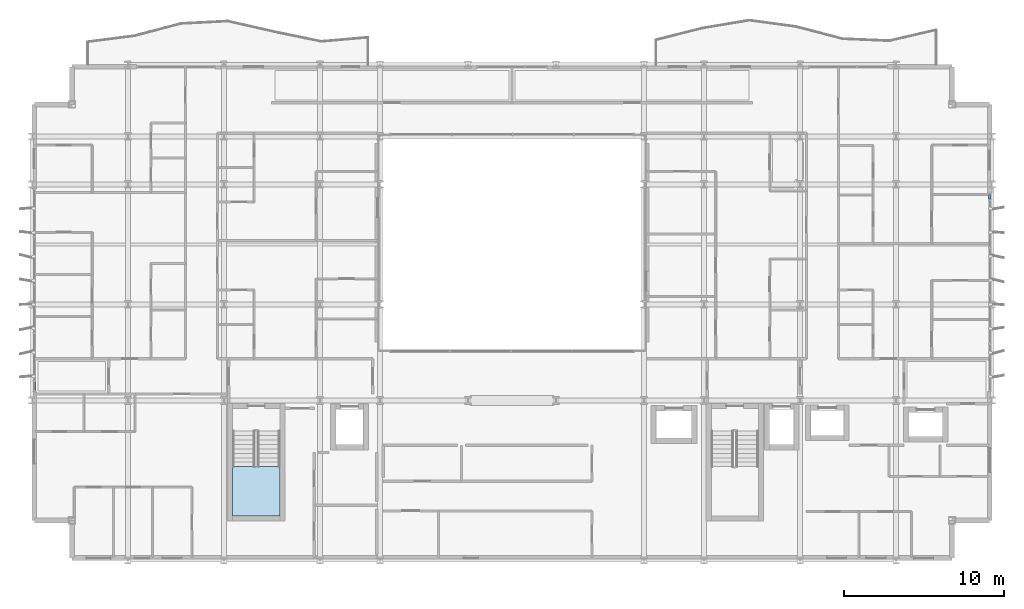
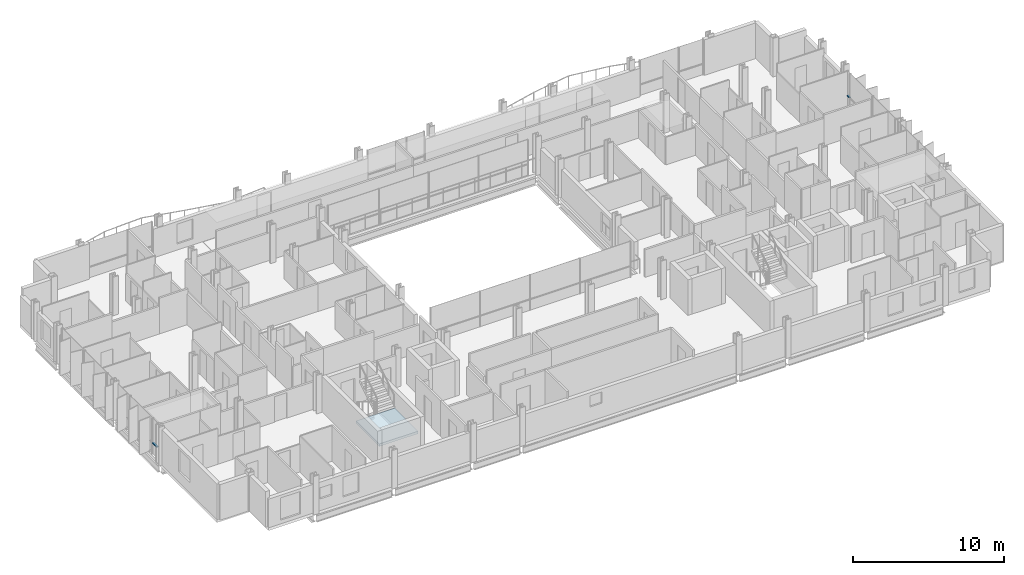
# One storey, part 21 of 39: 2 members, 1 slab, 3 elements without a shape of their own.
"""IFC4 building model written with IfcOpenShell, lengths in metres."""

from ifc_helpers import new_model, si_unit, direction, frame, origin, origin_2d, place, context, subcontext, project, spatial, polyline, hollow_rectangle, outline, extrude, material, layer, layer_set, material_profile, profile_set, type_object, element, aggregate, save


model = new_model("IFC4")

# Units and contexts
model_context = context("Model", 3, precision=1e-05, world=origin(), true_north=direction((0.0, 1.0)))
body_context = subcontext(model_context, "Body", "Model", "MODEL_VIEW")
ifc_project = project(units=[si_unit("LENGTHUNIT", "METRE"), si_unit("AREAUNIT", "SQUARE_METRE"), si_unit("VOLUMEUNIT", "CUBIC_METRE"), si_unit("PLANEANGLEUNIT", "RADIAN"), si_unit("MASSUNIT", "GRAM", prefix="KILO")], contexts=[model_context])

# Site, building, storey
site_placement = place(None, origin())
site = spatial("IfcSite", under=ifc_project, at=site_placement, CompositionType="ELEMENT")
building_placement = place(site_placement, origin())
building = spatial("IfcBuilding", under=site, at=building_placement, Name="Brevholm Reach", CompositionType="ELEMENT")
storey_placement = place(building_placement, frame((0.0, 0.0, 40.39990234375)))
storey = spatial("IfcBuildingStorey", under=building, at=storey_placement, Name="L10", CompositionType="ELEMENT", Elevation=40.39990234375)

# Curtain wall, member
ifc_material_1 = material(Name="Dark Anodised Aluminium 6063-T6 and Solar-Control Glass", Category="aluminium")
ifc_layer_1 = layer(ifc_material_1, 0.14990234375)
ifc_layer_set_1 = layer_set([ifc_layer_1], Name="Dark Anodised Aluminium 6063-T6 and Solar-Control Glass")
curtain_wall_type = type_object("IfcCurtainWallType", Name="CW-01", PredefinedType="NOTDEFINED", material=ifc_layer_set_1)
curtain_wall_1_placement = place(storey_placement, origin())
curtain_wall_1 = element("IfcCurtainWall", 1, at=curtain_wall_1_placement, inside=storey, type_object=curtain_wall_type, Name="L10 Curtain Wall CW-01", PredefinedType="NOTDEFINED")
ifc_material_2 = material(Name="Dark Anodised Aluminium 6063-T6", Category="aluminium")
ifc_material_profile = material_profile(ifc_material_2, hollow_rectangle(XDim=0.06494140625, YDim=0.14990234375, WallThickness=0.0048828125, InnerFilletRadius=0.0048828125, OuterFilletRadius=0.010009765625, at=origin_2d()), Name="RHS 150x65x5")
ifc_profile_set = profile_set([ifc_material_profile], Name="Dark Anodised Aluminium 6063-T6")
member_type = type_object("IfcMemberType", Name="CWT-150", PredefinedType="NOTDEFINED", material=ifc_profile_set)
member_1_placement = place(storey_placement, frame((0.14990234375, 11.1875, 0.900146484375), z_axis=(0.0, -1.0, 0.0), x_axis=(0.0, 0.0, 1.0)))
member_1 = element("IfcMember", 2, at=member_1_placement, type_object=member_type, Name="CT-150 Transom 5.1", ObjectType="TRANSOM", PredefinedType="USERDEFINED", context=body_context, shape_type="SweptSolid", body=[
    extrude(hollow_rectangle(XDim=0.06494140625, YDim=0.14990234375, WallThickness=0.0048828125, InnerFilletRadius=0.0048828125, OuterFilletRadius=0.010009765625, at=origin_2d()), origin(), (0.0, 0.0, 1.0), 0.572509765625),
])
aggregate(curtain_wall_1, [member_1])

curtain_wall_2_placement = place(storey_placement, origin())
curtain_wall_2 = element("IfcCurtainWall", 3, at=curtain_wall_2_placement, inside=storey, type_object=curtain_wall_type, Name="L10 Curtain Wall CW-01", PredefinedType="NOTDEFINED")
member_2_placement = place(storey_placement, frame((59.85009765625, 22.58251953125, 0.900146484375), z_axis=(0.0, 1.0, 0.0), x_axis=(0.0, 0.0, 1.0)))
member_2 = element("IfcMember", 4, at=member_2_placement, type_object=member_type, Name="CT-150 Transom 5.1", ObjectType="TRANSOM", PredefinedType="USERDEFINED", context=body_context, shape_type="SweptSolid", body=[
    extrude(hollow_rectangle(XDim=0.06494140625, YDim=0.14990234375, WallThickness=0.0048828125, InnerFilletRadius=0.0048828125, OuterFilletRadius=0.010009765625, at=origin_2d()), origin(), (0.0, 0.0, 1.0), 0.302490234375),
])
aggregate(curtain_wall_2, [member_2])

# Stair, slab
ifc_material_3 = material(Name="Precast Concrete C40/50", Category="concrete")
stair_type = type_object("IfcStairType", Name="STR-ESC-1400", PredefinedType="DOUBLE_RETURN_STAIR", material=ifc_material_3)
stair_placement = place(storey_placement, origin())
stair = element("IfcStair", 5, at=stair_placement, inside=storey, type_object=stair_type, Name="L10 ST-1", PredefinedType="DOUBLE_RETURN_STAIR")
ifc_material_4 = material(Name="Concrete C40/50", Category="concrete")
ifc_layer_2 = layer(ifc_material_4, 0.199951171875)
ifc_layer_set_2 = layer_set([ifc_layer_2], Name="Concrete C40/50")
slab_type = type_object("IfcSlabType", Name="SLB-LND-200", PredefinedType="LANDING", material=ifc_layer_set_2)
slab_placement = place(storey_placement, frame((0.0, 0.0, 1.35009765625)))
slab = element("IfcSlab", 6, at=slab_placement, type_object=slab_type, Name="ST-1 landing 1", PredefinedType="LANDING", context=body_context, shape_type="SweptSolid", body=[
    extrude(outline(polyline([(12.550048828125, 5.860107421875), (12.550048828125, 2.780029296875), (15.5, 2.780029296875), (15.5, 5.860107421875), (12.550048828125, 5.860107421875)])), origin(), (0.0, 0.0, 1.0), 0.199951171875),
])
aggregate(stair, [slab])

save(model, "model.ifc")
